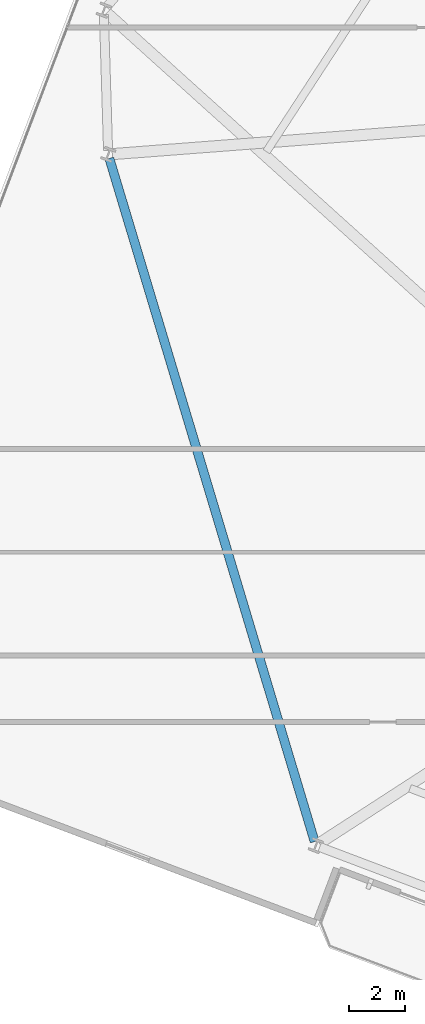
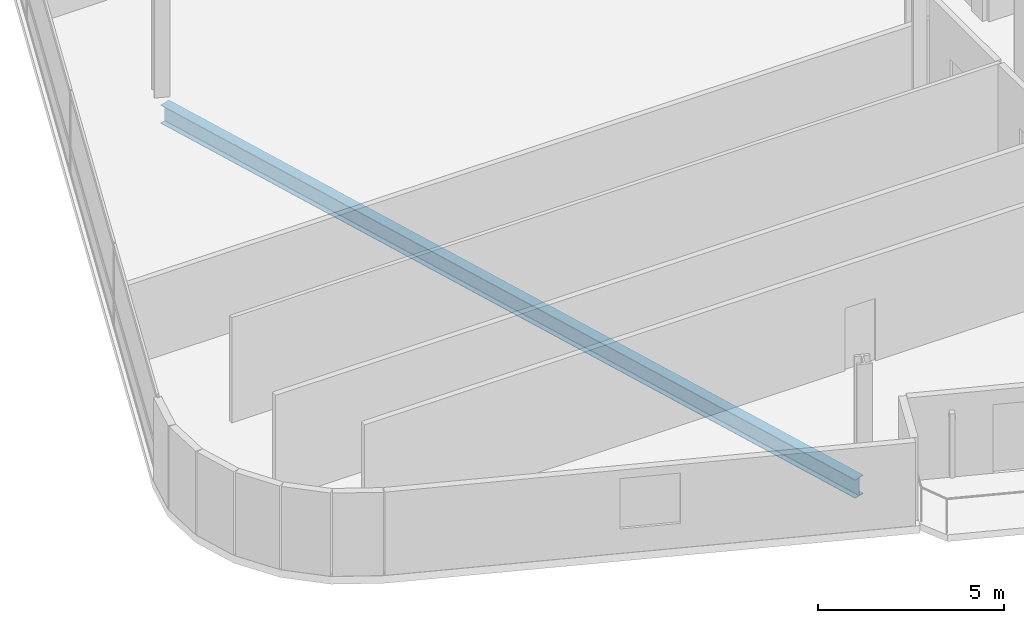
# One storey, part 5 of 24: 1 beam.
"""IFC4 building model written with IfcOpenShell, lengths in metres."""

from ifc_helpers import new_model, si_unit, direction, frame, origin, origin_2d, place, context, subcontext, project, spatial, i_section, extrude, material, material_profile, profile_set, type_object, element, save


model = new_model("IFC4")

# Units and contexts
model_context = context("Model", 3, precision=1e-05, world=origin(), true_north=direction((0.0, 1.0)))
body_context = subcontext(model_context, "Body", "Model", "MODEL_VIEW")
ifc_project = project(units=[si_unit("LENGTHUNIT", "METRE"), si_unit("AREAUNIT", "SQUARE_METRE"), si_unit("VOLUMEUNIT", "CUBIC_METRE"), si_unit("PLANEANGLEUNIT", "RADIAN"), si_unit("MASSUNIT", "GRAM", prefix="KILO")], contexts=[model_context])

# Site, building, storey
site_placement = place(None, origin())
site = spatial("IfcSite", under=ifc_project, at=site_placement, CompositionType="ELEMENT")
building_placement = place(site_placement, origin())
building = spatial("IfcBuilding", under=site, at=building_placement, Name="Varnelok Gate Tower", CompositionType="ELEMENT")
storey_placement = place(building_placement, frame((0.0, 0.0, 98.39990234375)))
storey = spatial("IfcBuildingStorey", under=building, at=storey_placement, Name="L24", CompositionType="ELEMENT", Elevation=98.39990234375)

# Beam
ifc_material = material(Name="Structural Steel ASTM A992 Grade 50", Category="steel")
ifc_material_profile = material_profile(ifc_material, i_section(OverallWidth=0.323974609375, OverallDepth=0.611083984375, WebThickness=0.0126953125, FlangeThickness=0.01904296875, FilletRadius=0.01806640625, at=origin_2d()), Name="W24X104")
ifc_profile_set = profile_set([ifc_material_profile], Name="Structural Steel ASTM A992 Grade 50")
beam_type = type_object("IfcBeamType", Name="BM-SPN-W24X104", PredefinedType="SPANDREL", material=ifc_profile_set)
beam_placement = place(storey_placement, frame((7.124267578125, 37.102294921875, -0.555419921875), z_axis=(0.287734186054, -0.957710310154, 0.0), x_axis=(0.957710310154, 0.287734186054, 0.0)))
element("IfcBeam", 1, at=beam_placement, inside=storey, type_object=beam_type, Name="L24 Perimeter Spandrel Beam 16", PredefinedType="SPANDREL", context=body_context, shape_type="SweptSolid", body=[
    extrude(i_section(OverallWidth=0.323974609375, OverallDepth=0.611083984375, WebThickness=0.0126953125, FlangeThickness=0.01904296875, FilletRadius=0.01806640625, at=origin_2d()), origin(), (0.0, 0.0, 1.0), 25.626220703125),
])

save(model, "model.ifc")
